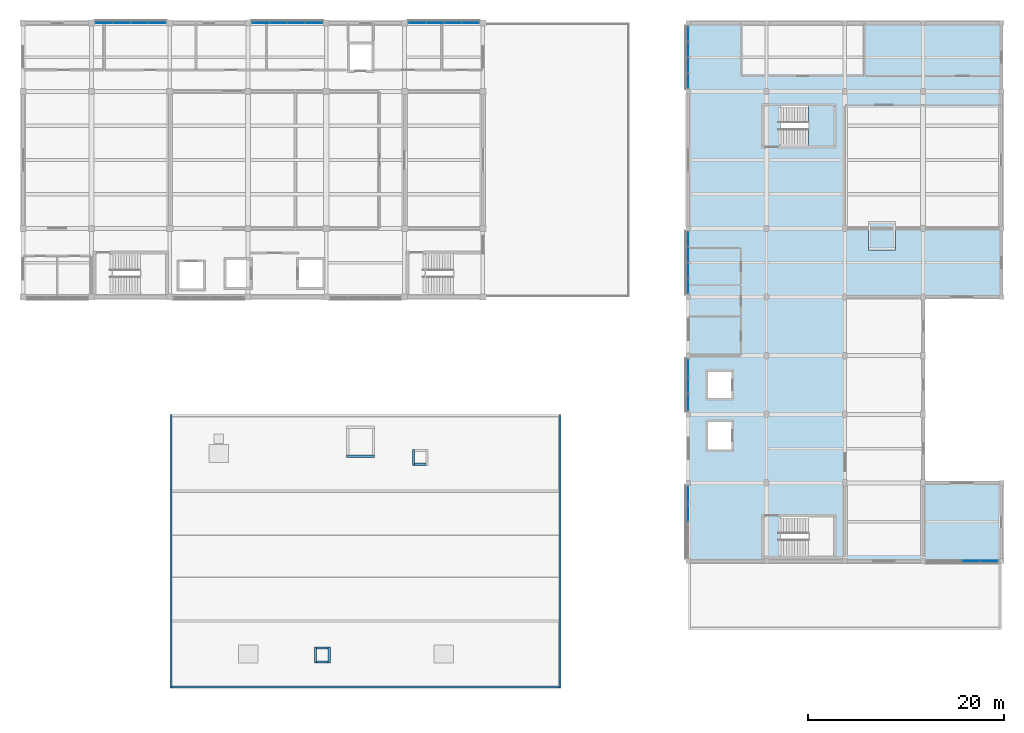
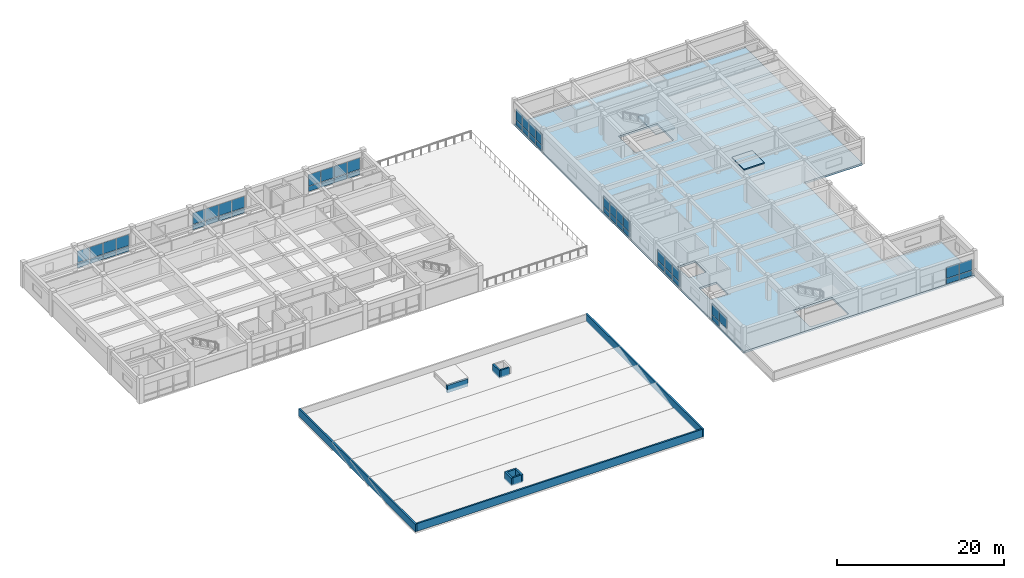
# One storey, part 10 of 22: 53 plates, 10 walls, 3 slabs, 9 elements without a shape of their own.
"""IFC4 building model written with IfcOpenShell, lengths in metres."""

from ifc_helpers import new_model, si_unit, direction, frame, frame_2d, origin, origin_2d, place, context, subcontext, project, spatial, polyline, rectangle, outline, extrude, material, layer, layer_set, type_object, element, aggregate, save


model = new_model("IFC4")

# Units and contexts
model_context = context("Model", 3, precision=1e-05, world=origin(), true_north=direction((0.0, 1.0)))
body_context = subcontext(model_context, "Body", "Model", "MODEL_VIEW")
ifc_project = project(units=[si_unit("LENGTHUNIT", "METRE"), si_unit("AREAUNIT", "SQUARE_METRE"), si_unit("VOLUMEUNIT", "CUBIC_METRE"), si_unit("PLANEANGLEUNIT", "RADIAN"), si_unit("MASSUNIT", "GRAM", prefix="KILO")], contexts=[model_context])

# Site, building, storey
site_placement = place(None, origin())
site = spatial("IfcSite", under=ifc_project, at=site_placement, CompositionType="ELEMENT")
building_placement = place(site_placement, origin())
building = spatial("IfcBuilding", under=site, at=building_placement, Name="Naurynzar Civic Courthouse", CompositionType="ELEMENT")
storey_placement = place(building_placement, frame((0.0, 0.0, 25.800048828125)))
storey = spatial("IfcBuildingStorey", under=building, at=storey_placement, Name="L07", CompositionType="ELEMENT", Elevation=25.800048828125)

# Curtain wall, plates
ifc_material_1 = material(Name="Aluminium 6063-T6", Category="aluminium")
ifc_layer_1 = layer(ifc_material_1, 0.159912109375)
ifc_layer_set_1 = layer_set([ifc_layer_1], Name="CW-UNIT-1800")
curtain_wall_type = type_object("IfcCurtainWallType", Name="CW-UNIT-1800", PredefinedType="NOTDEFINED", material=ifc_layer_set_1)
curtain_wall_1_placement = place(storey_placement, origin())
curtain_wall_1 = element("IfcCurtainWall", 1, at=curtain_wall_1_placement, inside=storey, type_object=curtain_wall_type, Name="V2 unitised curtain wall 48 L07", PredefinedType="NOTDEFINED")
ifc_material_2 = material(Name="Tempered Laminated Low-E Glass", Category="glass")
ifc_layer_2 = layer(ifc_material_2, 0.035888671875)
ifc_layer_set_2 = layer_set([ifc_layer_2], Name="CWP-IGU-36")
plate_type = type_object("IfcPlateType", Name="CWP-IGU-36", PredefinedType="CURTAIN_PANEL", material=ifc_layer_set_2)
plate_1_placement = place(storey_placement, frame((70.289306640625, 72.0, 0.06982421875), z_axis=(0.0, 0.0, 1.0), x_axis=(1.0, 0.0, 0.0)))
plate_1 = element("IfcPlate", 2, at=plate_1_placement, type_object=plate_type, Name="CW-02 panel 1.1", PredefinedType="CURTAIN_PANEL", context=body_context, shape_type="SweptSolid", body=[
    extrude(rectangle(XDim=1.7138671875, YDim=0.035888671875, at=origin_2d()), origin(), (0.0, 0.0, 1.0), 0.7451171875),
])
plate_2_placement = place(storey_placement, frame((70.289306640625, 72.0, 0.885009765625), z_axis=(0.0, 0.0, 1.0), x_axis=(1.0, 0.0, 0.0)))
plate_2 = element("IfcPlate", 3, at=plate_2_placement, type_object=plate_type, Name="CW-02 panel 1.2", PredefinedType="CURTAIN_PANEL", context=body_context, shape_type="SweptSolid", body=[
    extrude(rectangle(XDim=1.7138671875, YDim=0.035888671875, at=origin_2d()), origin(), (0.0, 0.0, 1.0), 1.64501953125),
])
plate_3_placement = place(storey_placement, frame((72.090576171875, 72.0, 0.06982421875), z_axis=(0.0, 0.0, 1.0), x_axis=(1.0, 0.0, 0.0)))
plate_3 = element("IfcPlate", 4, at=plate_3_placement, type_object=plate_type, Name="CW-02 panel 2.1", PredefinedType="CURTAIN_PANEL", context=body_context, shape_type="SweptSolid", body=[
    extrude(rectangle(XDim=1.748779296875, YDim=0.035888671875, at=origin_2d()), origin(), (0.0, 0.0, 1.0), 0.7451171875),
])
plate_4_placement = place(storey_placement, frame((72.090576171875, 72.0, 0.885009765625), z_axis=(0.0, 0.0, 1.0), x_axis=(1.0, 0.0, 0.0)))
plate_4 = element("IfcPlate", 5, at=plate_4_placement, type_object=plate_type, Name="CW-02 panel 2.2", PredefinedType="CURTAIN_PANEL", context=body_context, shape_type="SweptSolid", body=[
    extrude(rectangle(XDim=1.748779296875, YDim=0.035888671875, at=origin_2d()), origin(), (0.0, 0.0, 1.0), 1.64501953125),
])
plate_5_placement = place(storey_placement, frame((73.909423828125, 72.0, 0.06982421875), z_axis=(0.0, 0.0, 1.0), x_axis=(1.0, 0.0, 0.0)))
plate_5 = element("IfcPlate", 6, at=plate_5_placement, type_object=plate_type, Name="CW-02 panel 3.1", PredefinedType="CURTAIN_PANEL", context=body_context, shape_type="SweptSolid", body=[
    extrude(rectangle(XDim=1.748779296875, YDim=0.035888671875, at=origin_2d()), origin(), (0.0, 0.0, 1.0), 0.7451171875),
])
plate_6_placement = place(storey_placement, frame((73.909423828125, 72.0, 0.885009765625), z_axis=(0.0, 0.0, 1.0), x_axis=(1.0, 0.0, 0.0)))
plate_6 = element("IfcPlate", 7, at=plate_6_placement, type_object=plate_type, Name="CW-02 panel 3.2", PredefinedType="CURTAIN_PANEL", context=body_context, shape_type="SweptSolid", body=[
    extrude(rectangle(XDim=1.748779296875, YDim=0.035888671875, at=origin_2d()), origin(), (0.0, 0.0, 1.0), 1.64501953125),
])
plate_7_placement = place(storey_placement, frame((75.710693359375, 72.0, 0.06982421875), z_axis=(0.0, 0.0, 1.0), x_axis=(1.0, 0.0, 0.0)))
plate_7 = element("IfcPlate", 8, at=plate_7_placement, type_object=plate_type, Name="CW-02 panel 4.1", PredefinedType="CURTAIN_PANEL", context=body_context, shape_type="SweptSolid", body=[
    extrude(rectangle(XDim=1.7138671875, YDim=0.035888671875, at=origin_2d()), origin(), (0.0, 0.0, 1.0), 0.7451171875),
])
plate_8_placement = place(storey_placement, frame((75.710693359375, 72.0, 0.885009765625), z_axis=(0.0, 0.0, 1.0), x_axis=(1.0, 0.0, 0.0)))
plate_8 = element("IfcPlate", 9, at=plate_8_placement, type_object=plate_type, Name="CW-02 panel 4.2", PredefinedType="CURTAIN_PANEL", context=body_context, shape_type="SweptSolid", body=[
    extrude(rectangle(XDim=1.7138671875, YDim=0.035888671875, at=origin_2d()), origin(), (0.0, 0.0, 1.0), 1.64501953125),
])
aggregate(curtain_wall_1, [plate_1, plate_2, plate_3, plate_4, plate_5, plate_6, plate_7, plate_8])

curtain_wall_2_placement = place(storey_placement, origin())
curtain_wall_2 = element("IfcCurtainWall", 10, at=curtain_wall_2_placement, inside=storey, type_object=curtain_wall_type, Name="V2 unitised curtain wall 49 L07", PredefinedType="NOTDEFINED")
plate_9_placement = place(storey_placement, frame((86.289306640625, 72.0, 0.06982421875), z_axis=(0.0, 0.0, 1.0), x_axis=(1.0, 0.0, 0.0)))
plate_9 = element("IfcPlate", 11, at=plate_9_placement, type_object=plate_type, Name="CW-02 panel 1.1", PredefinedType="CURTAIN_PANEL", context=body_context, shape_type="SweptSolid", body=[
    extrude(rectangle(XDim=1.7138671875, YDim=0.035888671875, at=origin_2d()), origin(), (0.0, 0.0, 1.0), 0.7451171875),
])
plate_10_placement = place(storey_placement, frame((86.289306640625, 72.0, 0.885009765625), z_axis=(0.0, 0.0, 1.0), x_axis=(1.0, 0.0, 0.0)))
plate_10 = element("IfcPlate", 12, at=plate_10_placement, type_object=plate_type, Name="CW-02 panel 1.2", PredefinedType="CURTAIN_PANEL", context=body_context, shape_type="SweptSolid", body=[
    extrude(rectangle(XDim=1.7138671875, YDim=0.035888671875, at=origin_2d()), origin(), (0.0, 0.0, 1.0), 1.64501953125),
])
plate_11_placement = place(storey_placement, frame((88.090576171875, 72.0, 0.06982421875), z_axis=(0.0, 0.0, 1.0), x_axis=(1.0, 0.0, 0.0)))
plate_11 = element("IfcPlate", 13, at=plate_11_placement, type_object=plate_type, Name="CW-02 panel 2.1", PredefinedType="CURTAIN_PANEL", context=body_context, shape_type="SweptSolid", body=[
    extrude(rectangle(XDim=1.748779296875, YDim=0.035888671875, at=origin_2d()), origin(), (0.0, 0.0, 1.0), 0.7451171875),
])
plate_12_placement = place(storey_placement, frame((88.090576171875, 72.0, 0.885009765625), z_axis=(0.0, 0.0, 1.0), x_axis=(1.0, 0.0, 0.0)))
plate_12 = element("IfcPlate", 14, at=plate_12_placement, type_object=plate_type, Name="CW-02 panel 2.2", PredefinedType="CURTAIN_PANEL", context=body_context, shape_type="SweptSolid", body=[
    extrude(rectangle(XDim=1.748779296875, YDim=0.035888671875, at=origin_2d()), origin(), (0.0, 0.0, 1.0), 1.64501953125),
])
plate_13_placement = place(storey_placement, frame((89.909423828125, 72.0, 0.06982421875), z_axis=(0.0, 0.0, 1.0), x_axis=(1.0, 0.0, 0.0)))
plate_13 = element("IfcPlate", 15, at=plate_13_placement, type_object=plate_type, Name="CW-02 panel 3.1", PredefinedType="CURTAIN_PANEL", context=body_context, shape_type="SweptSolid", body=[
    extrude(rectangle(XDim=1.748779296875, YDim=0.035888671875, at=origin_2d()), origin(), (0.0, 0.0, 1.0), 0.7451171875),
])
plate_14_placement = place(storey_placement, frame((89.909423828125, 72.0, 0.885009765625), z_axis=(0.0, 0.0, 1.0), x_axis=(1.0, 0.0, 0.0)))
plate_14 = element("IfcPlate", 16, at=plate_14_placement, type_object=plate_type, Name="CW-02 panel 3.2", PredefinedType="CURTAIN_PANEL", context=body_context, shape_type="SweptSolid", body=[
    extrude(rectangle(XDim=1.748779296875, YDim=0.035888671875, at=origin_2d()), origin(), (0.0, 0.0, 1.0), 1.64501953125),
])
plate_15_placement = place(storey_placement, frame((91.710693359375, 72.0, 0.06982421875), z_axis=(0.0, 0.0, 1.0), x_axis=(1.0, 0.0, 0.0)))
plate_15 = element("IfcPlate", 17, at=plate_15_placement, type_object=plate_type, Name="CW-02 panel 4.1", PredefinedType="CURTAIN_PANEL", context=body_context, shape_type="SweptSolid", body=[
    extrude(rectangle(XDim=1.7138671875, YDim=0.035888671875, at=origin_2d()), origin(), (0.0, 0.0, 1.0), 0.7451171875),
])
plate_16_placement = place(storey_placement, frame((91.710693359375, 72.0, 0.885009765625), z_axis=(0.0, 0.0, 1.0), x_axis=(1.0, 0.0, 0.0)))
plate_16 = element("IfcPlate", 18, at=plate_16_placement, type_object=plate_type, Name="CW-02 panel 4.2", PredefinedType="CURTAIN_PANEL", context=body_context, shape_type="SweptSolid", body=[
    extrude(rectangle(XDim=1.7138671875, YDim=0.035888671875, at=origin_2d()), origin(), (0.0, 0.0, 1.0), 1.64501953125),
])
aggregate(curtain_wall_2, [plate_9, plate_10, plate_11, plate_12, plate_13, plate_14, plate_15, plate_16])

curtain_wall_3_placement = place(storey_placement, origin())
curtain_wall_3 = element("IfcCurtainWall", 19, at=curtain_wall_3_placement, inside=storey, type_object=curtain_wall_type, Name="V2 unitised curtain wall 50 L07", PredefinedType="NOTDEFINED")
plate_17_placement = place(storey_placement, frame((102.289306640625, 72.0, 0.06982421875), z_axis=(0.0, 0.0, 1.0), x_axis=(1.0, 0.0, 0.0)))
plate_17 = element("IfcPlate", 20, at=plate_17_placement, type_object=plate_type, Name="CW-02 panel 1.1", PredefinedType="CURTAIN_PANEL", context=body_context, shape_type="SweptSolid", body=[
    extrude(rectangle(XDim=1.7138671875, YDim=0.035888671875, at=origin_2d()), origin(), (0.0, 0.0, 1.0), 0.7451171875),
])
plate_18_placement = place(storey_placement, frame((102.289306640625, 72.0, 0.885009765625), z_axis=(0.0, 0.0, 1.0), x_axis=(1.0, 0.0, 0.0)))
plate_18 = element("IfcPlate", 21, at=plate_18_placement, type_object=plate_type, Name="CW-02 panel 1.2", PredefinedType="CURTAIN_PANEL", context=body_context, shape_type="SweptSolid", body=[
    extrude(rectangle(XDim=1.7138671875, YDim=0.035888671875, at=origin_2d()), origin(), (0.0, 0.0, 1.0), 1.64501953125),
])
plate_19_placement = place(storey_placement, frame((104.090576171875, 72.0, 0.06982421875), z_axis=(0.0, 0.0, 1.0), x_axis=(1.0, 0.0, 0.0)))
plate_19 = element("IfcPlate", 22, at=plate_19_placement, type_object=plate_type, Name="CW-02 panel 2.1", PredefinedType="CURTAIN_PANEL", context=body_context, shape_type="SweptSolid", body=[
    extrude(rectangle(XDim=1.748779296875, YDim=0.035888671875, at=origin_2d()), origin(), (0.0, 0.0, 1.0), 0.7451171875),
])
plate_20_placement = place(storey_placement, frame((104.090576171875, 72.0, 0.885009765625), z_axis=(0.0, 0.0, 1.0), x_axis=(1.0, 0.0, 0.0)))
plate_20 = element("IfcPlate", 23, at=plate_20_placement, type_object=plate_type, Name="CW-02 panel 2.2", PredefinedType="CURTAIN_PANEL", context=body_context, shape_type="SweptSolid", body=[
    extrude(rectangle(XDim=1.748779296875, YDim=0.035888671875, at=origin_2d()), origin(), (0.0, 0.0, 1.0), 1.64501953125),
])
plate_21_placement = place(storey_placement, frame((105.909423828125, 72.0, 0.06982421875), z_axis=(0.0, 0.0, 1.0), x_axis=(1.0, 0.0, 0.0)))
plate_21 = element("IfcPlate", 24, at=plate_21_placement, type_object=plate_type, Name="CW-02 panel 3.1", PredefinedType="CURTAIN_PANEL", context=body_context, shape_type="SweptSolid", body=[
    extrude(rectangle(XDim=1.748779296875, YDim=0.035888671875, at=origin_2d()), origin(), (0.0, 0.0, 1.0), 0.7451171875),
])
plate_22_placement = place(storey_placement, frame((105.909423828125, 72.0, 0.885009765625), z_axis=(0.0, 0.0, 1.0), x_axis=(1.0, 0.0, 0.0)))
plate_22 = element("IfcPlate", 25, at=plate_22_placement, type_object=plate_type, Name="CW-02 panel 3.2", PredefinedType="CURTAIN_PANEL", context=body_context, shape_type="SweptSolid", body=[
    extrude(rectangle(XDim=1.748779296875, YDim=0.035888671875, at=origin_2d()), origin(), (0.0, 0.0, 1.0), 1.64501953125),
])
plate_23_placement = place(storey_placement, frame((107.710693359375, 72.0, 0.06982421875), z_axis=(0.0, 0.0, 1.0), x_axis=(1.0, 0.0, 0.0)))
plate_23 = element("IfcPlate", 26, at=plate_23_placement, type_object=plate_type, Name="CW-02 panel 4.1", PredefinedType="CURTAIN_PANEL", context=body_context, shape_type="SweptSolid", body=[
    extrude(rectangle(XDim=1.7138671875, YDim=0.035888671875, at=origin_2d()), origin(), (0.0, 0.0, 1.0), 0.7451171875),
])
plate_24_placement = place(storey_placement, frame((107.710693359375, 72.0, 0.885009765625), z_axis=(0.0, 0.0, 1.0), x_axis=(1.0, 0.0, 0.0)))
plate_24 = element("IfcPlate", 27, at=plate_24_placement, type_object=plate_type, Name="CW-02 panel 4.2", PredefinedType="CURTAIN_PANEL", context=body_context, shape_type="SweptSolid", body=[
    extrude(rectangle(XDim=1.7138671875, YDim=0.035888671875, at=origin_2d()), origin(), (0.0, 0.0, 1.0), 1.64501953125),
])
aggregate(curtain_wall_3, [plate_17, plate_18, plate_19, plate_20, plate_21, plate_22, plate_23, plate_24])

curtain_wall_4_placement = place(storey_placement, origin())
curtain_wall_4 = element("IfcCurtainWall", 28, at=curtain_wall_4_placement, inside=storey, type_object=curtain_wall_type, Name="V5 unitised curtain wall 112 L07", PredefinedType="NOTDEFINED")
plate_25_placement = place(storey_placement, frame((130.0, 21.925048828125, 0.884765625), z_axis=(0.0, 0.0, 1.0), x_axis=(0.0, 1.0, 0.0)))
plate_25 = element("IfcPlate", 29, at=plate_25_placement, type_object=plate_type, Name="CW-02 panel 3.2", PredefinedType="CURTAIN_PANEL", context=body_context, shape_type="SweptSolid", body=[
    extrude(rectangle(XDim=1.780029296875, YDim=0.035888671875, at=origin_2d()), origin(), (0.0, 0.0, 1.0), 1.594970703125),
])
plate_26_placement = place(storey_placement, frame((130.0, 23.757568359375, 0.06982421875), z_axis=(0.0, 0.0, 1.0), x_axis=(0.0, 1.0, 0.0)))
plate_26 = element("IfcPlate", 30, at=plate_26_placement, type_object=plate_type, Name="CW-02 panel 4.1", PredefinedType="CURTAIN_PANEL", context=body_context, shape_type="SweptSolid", body=[
    extrude(rectangle(XDim=1.7451171875, YDim=0.035888671875, at=origin_2d()), origin(), (0.0, 0.0, 1.0), 0.7451171875),
])
plate_27_placement = place(storey_placement, frame((130.0, 23.757568359375, 0.884765625), z_axis=(0.0, 0.0, 1.0), x_axis=(0.0, 1.0, 0.0)))
plate_27 = element("IfcPlate", 31, at=plate_27_placement, type_object=plate_type, Name="CW-02 panel 4.2", PredefinedType="CURTAIN_PANEL", context=body_context, shape_type="SweptSolid", body=[
    extrude(rectangle(XDim=1.7451171875, YDim=0.035888671875, at=origin_2d()), origin(), (0.0, 0.0, 1.0), 1.594970703125),
])
aggregate(curtain_wall_4, [plate_25, plate_26, plate_27])

curtain_wall_5_placement = place(storey_placement, origin())
curtain_wall_5 = element("IfcCurtainWall", 32, at=curtain_wall_5_placement, inside=storey, type_object=curtain_wall_type, Name="V5 unitised curtain wall 113 L07", PredefinedType="NOTDEFINED")
plate_28_placement = place(storey_placement, frame((130.0, 33.217529296875, 0.06982421875), z_axis=(0.0, 0.0, 1.0), x_axis=(0.0, 1.0, 0.0)))
plate_28 = element("IfcPlate", 33, at=plate_28_placement, type_object=plate_type, Name="CW-02 panel 1.1", PredefinedType="CURTAIN_PANEL", context=body_context, shape_type="SweptSolid", body=[
    extrude(rectangle(XDim=1.695068359375, YDim=0.035888671875, at=origin_2d()), origin(), (0.0, 0.0, 1.0), 0.7451171875),
])
plate_29_placement = place(storey_placement, frame((130.0, 33.217529296875, 0.884765625), z_axis=(0.0, 0.0, 1.0), x_axis=(0.0, 1.0, 0.0)))
plate_29 = element("IfcPlate", 34, at=plate_29_placement, type_object=plate_type, Name="CW-02 panel 1.2", PredefinedType="CURTAIN_PANEL", context=body_context, shape_type="SweptSolid", body=[
    extrude(rectangle(XDim=1.695068359375, YDim=0.035888671875, at=origin_2d()), origin(), (0.0, 0.0, 1.0), 1.594970703125),
])
plate_30_placement = place(storey_placement, frame((130.0, 35.0, 0.06982421875), z_axis=(0.0, 0.0, 1.0), x_axis=(0.0, 1.0, 0.0)))
plate_30 = element("IfcPlate", 35, at=plate_30_placement, type_object=plate_type, Name="CW-02 panel 2.1", PredefinedType="CURTAIN_PANEL", context=body_context, shape_type="SweptSolid", body=[
    extrude(rectangle(XDim=1.72998046875, YDim=0.035888671875, at=origin_2d()), origin(), (0.0, 0.0, 1.0), 0.7451171875),
])
plate_31_placement = place(storey_placement, frame((130.0, 35.0, 0.884765625), z_axis=(0.0, 0.0, 1.0), x_axis=(0.0, 1.0, 0.0)))
plate_31 = element("IfcPlate", 36, at=plate_31_placement, type_object=plate_type, Name="CW-02 panel 2.2", PredefinedType="CURTAIN_PANEL", context=body_context, shape_type="SweptSolid", body=[
    extrude(rectangle(XDim=1.72998046875, YDim=0.035888671875, at=origin_2d()), origin(), (0.0, 0.0, 1.0), 1.594970703125),
])
plate_32_placement = place(storey_placement, frame((130.0, 36.782470703125, 0.06982421875), z_axis=(0.0, 0.0, 1.0), x_axis=(0.0, 1.0, 0.0)))
plate_32 = element("IfcPlate", 37, at=plate_32_placement, type_object=plate_type, Name="CW-02 panel 3.1", PredefinedType="CURTAIN_PANEL", context=body_context, shape_type="SweptSolid", body=[
    extrude(rectangle(XDim=1.695068359375, YDim=0.035888671875, at=origin_2d()), origin(), (0.0, 0.0, 1.0), 0.7451171875),
])
plate_33_placement = place(storey_placement, frame((130.0, 36.782470703125, 0.884765625), z_axis=(0.0, 0.0, 1.0), x_axis=(0.0, 1.0, 0.0)))
plate_33 = element("IfcPlate", 38, at=plate_33_placement, type_object=plate_type, Name="CW-02 panel 3.2", PredefinedType="CURTAIN_PANEL", context=body_context, shape_type="SweptSolid", body=[
    extrude(rectangle(XDim=1.695068359375, YDim=0.035888671875, at=origin_2d()), origin(), (0.0, 0.0, 1.0), 1.594970703125),
])
aggregate(curtain_wall_5, [plate_28, plate_29, plate_30, plate_31, plate_32, plate_33])

curtain_wall_6_placement = place(storey_placement, origin())
curtain_wall_6 = element("IfcCurtainWall", 39, at=curtain_wall_6_placement, inside=storey, type_object=curtain_wall_type, Name="V5 unitised curtain wall 114 L07", PredefinedType="NOTDEFINED")
plate_34_placement = place(storey_placement, frame((130.0, 45.117431640625, 0.06982421875), z_axis=(0.0, 0.0, 1.0), x_axis=(0.0, 1.0, 0.0)))
plate_34 = element("IfcPlate", 40, at=plate_34_placement, type_object=plate_type, Name="CW-02 panel 1.1", PredefinedType="CURTAIN_PANEL", context=body_context, shape_type="SweptSolid", body=[
    extrude(rectangle(XDim=1.4951171875, YDim=0.035888671875, at=origin_2d()), origin(), (0.0, 0.0, 1.0), 0.7451171875),
])
plate_35_placement = place(storey_placement, frame((130.0, 45.117431640625, 0.884765625), z_axis=(0.0, 0.0, 1.0), x_axis=(0.0, 1.0, 0.0)))
plate_35 = element("IfcPlate", 41, at=plate_35_placement, type_object=plate_type, Name="CW-02 panel 1.2", PredefinedType="CURTAIN_PANEL", context=body_context, shape_type="SweptSolid", body=[
    extrude(rectangle(XDim=1.4951171875, YDim=0.035888671875, at=origin_2d()), origin(), (0.0, 0.0, 1.0), 1.594970703125),
])
plate_36_placement = place(storey_placement, frame((130.0, 46.699951171875, 0.06982421875), z_axis=(0.0, 0.0, 1.0), x_axis=(0.0, 1.0, 0.0)))
plate_36 = element("IfcPlate", 42, at=plate_36_placement, type_object=plate_type, Name="CW-02 panel 2.1", PredefinedType="CURTAIN_PANEL", context=body_context, shape_type="SweptSolid", body=[
    extrude(rectangle(XDim=1.530029296875, YDim=0.035888671875, at=origin_2d()), origin(), (0.0, 0.0, 1.0), 0.7451171875),
])
plate_37_placement = place(storey_placement, frame((130.0, 46.699951171875, 0.884765625), z_axis=(0.0, 0.0, 1.0), x_axis=(0.0, 1.0, 0.0)))
plate_37 = element("IfcPlate", 43, at=plate_37_placement, type_object=plate_type, Name="CW-02 panel 2.2", PredefinedType="CURTAIN_PANEL", context=body_context, shape_type="SweptSolid", body=[
    extrude(rectangle(XDim=1.530029296875, YDim=0.035888671875, at=origin_2d()), origin(), (0.0, 0.0, 1.0), 1.594970703125),
])
plate_38_placement = place(storey_placement, frame((130.0, 48.300048828125, 0.06982421875), z_axis=(0.0, 0.0, 1.0), x_axis=(0.0, 1.0, 0.0)))
plate_38 = element("IfcPlate", 44, at=plate_38_placement, type_object=plate_type, Name="CW-02 panel 3.1", PredefinedType="CURTAIN_PANEL", context=body_context, shape_type="SweptSolid", body=[
    extrude(rectangle(XDim=1.530029296875, YDim=0.035888671875, at=origin_2d()), origin(), (0.0, 0.0, 1.0), 0.7451171875),
])
plate_39_placement = place(storey_placement, frame((130.0, 48.300048828125, 0.884765625), z_axis=(0.0, 0.0, 1.0), x_axis=(0.0, 1.0, 0.0)))
plate_39 = element("IfcPlate", 45, at=plate_39_placement, type_object=plate_type, Name="CW-02 panel 3.2", PredefinedType="CURTAIN_PANEL", context=body_context, shape_type="SweptSolid", body=[
    extrude(rectangle(XDim=1.530029296875, YDim=0.035888671875, at=origin_2d()), origin(), (0.0, 0.0, 1.0), 1.594970703125),
])
plate_40_placement = place(storey_placement, frame((130.0, 49.882568359375, 0.06982421875), z_axis=(0.0, 0.0, 1.0), x_axis=(0.0, 1.0, 0.0)))
plate_40 = element("IfcPlate", 46, at=plate_40_placement, type_object=plate_type, Name="CW-02 panel 4.1", PredefinedType="CURTAIN_PANEL", context=body_context, shape_type="SweptSolid", body=[
    extrude(rectangle(XDim=1.4951171875, YDim=0.035888671875, at=origin_2d()), origin(), (0.0, 0.0, 1.0), 0.7451171875),
])
plate_41_placement = place(storey_placement, frame((130.0, 49.882568359375, 0.884765625), z_axis=(0.0, 0.0, 1.0), x_axis=(0.0, 1.0, 0.0)))
plate_41 = element("IfcPlate", 47, at=plate_41_placement, type_object=plate_type, Name="CW-02 panel 4.2", PredefinedType="CURTAIN_PANEL", context=body_context, shape_type="SweptSolid", body=[
    extrude(rectangle(XDim=1.4951171875, YDim=0.035888671875, at=origin_2d()), origin(), (0.0, 0.0, 1.0), 1.594970703125),
])
aggregate(curtain_wall_6, [plate_34, plate_35, plate_36, plate_37, plate_38, plate_39, plate_40, plate_41])

curtain_wall_7_placement = place(storey_placement, origin())
curtain_wall_7 = element("IfcCurtainWall", 48, at=curtain_wall_7_placement, inside=storey, type_object=curtain_wall_type, Name="V5 unitised curtain wall 115 L07", PredefinedType="NOTDEFINED")
plate_42_placement = place(storey_placement, frame((130.0, 66.117431640625, 0.06982421875), z_axis=(0.0, 0.0, 1.0), x_axis=(0.0, 1.0, 0.0)))
plate_42 = element("IfcPlate", 49, at=plate_42_placement, type_object=plate_type, Name="CW-02 panel 1.1", PredefinedType="CURTAIN_PANEL", context=body_context, shape_type="SweptSolid", body=[
    extrude(rectangle(XDim=1.4951171875, YDim=0.035888671875, at=origin_2d()), origin(), (0.0, 0.0, 1.0), 0.7451171875),
])
plate_43_placement = place(storey_placement, frame((130.0, 66.117431640625, 0.884765625), z_axis=(0.0, 0.0, 1.0), x_axis=(0.0, 1.0, 0.0)))
plate_43 = element("IfcPlate", 50, at=plate_43_placement, type_object=plate_type, Name="CW-02 panel 1.2", PredefinedType="CURTAIN_PANEL", context=body_context, shape_type="SweptSolid", body=[
    extrude(rectangle(XDim=1.4951171875, YDim=0.035888671875, at=origin_2d()), origin(), (0.0, 0.0, 1.0), 1.594970703125),
])
plate_44_placement = place(storey_placement, frame((130.0, 67.699951171875, 0.06982421875), z_axis=(0.0, 0.0, 1.0), x_axis=(0.0, 1.0, 0.0)))
plate_44 = element("IfcPlate", 51, at=plate_44_placement, type_object=plate_type, Name="CW-02 panel 2.1", PredefinedType="CURTAIN_PANEL", context=body_context, shape_type="SweptSolid", body=[
    extrude(rectangle(XDim=1.530029296875, YDim=0.035888671875, at=origin_2d()), origin(), (0.0, 0.0, 1.0), 0.7451171875),
])
plate_45_placement = place(storey_placement, frame((130.0, 67.699951171875, 0.884765625), z_axis=(0.0, 0.0, 1.0), x_axis=(0.0, 1.0, 0.0)))
plate_45 = element("IfcPlate", 52, at=plate_45_placement, type_object=plate_type, Name="CW-02 panel 2.2", PredefinedType="CURTAIN_PANEL", context=body_context, shape_type="SweptSolid", body=[
    extrude(rectangle(XDim=1.530029296875, YDim=0.035888671875, at=origin_2d()), origin(), (0.0, 0.0, 1.0), 1.594970703125),
])
plate_46_placement = place(storey_placement, frame((130.0, 69.300048828125, 0.06982421875), z_axis=(0.0, 0.0, 1.0), x_axis=(0.0, 1.0, 0.0)))
plate_46 = element("IfcPlate", 53, at=plate_46_placement, type_object=plate_type, Name="CW-02 panel 3.1", PredefinedType="CURTAIN_PANEL", context=body_context, shape_type="SweptSolid", body=[
    extrude(rectangle(XDim=1.530029296875, YDim=0.035888671875, at=origin_2d()), origin(), (0.0, 0.0, 1.0), 0.7451171875),
])
plate_47_placement = place(storey_placement, frame((130.0, 69.300048828125, 0.884765625), z_axis=(0.0, 0.0, 1.0), x_axis=(0.0, 1.0, 0.0)))
plate_47 = element("IfcPlate", 54, at=plate_47_placement, type_object=plate_type, Name="CW-02 panel 3.2", PredefinedType="CURTAIN_PANEL", context=body_context, shape_type="SweptSolid", body=[
    extrude(rectangle(XDim=1.530029296875, YDim=0.035888671875, at=origin_2d()), origin(), (0.0, 0.0, 1.0), 1.594970703125),
])
plate_48_placement = place(storey_placement, frame((130.0, 70.882568359375, 0.06982421875), z_axis=(0.0, 0.0, 1.0), x_axis=(0.0, 1.0, 0.0)))
plate_48 = element("IfcPlate", 55, at=plate_48_placement, type_object=plate_type, Name="CW-02 panel 4.1", PredefinedType="CURTAIN_PANEL", context=body_context, shape_type="SweptSolid", body=[
    extrude(rectangle(XDim=1.4951171875, YDim=0.035888671875, at=origin_2d()), origin(), (0.0, 0.0, 1.0), 0.7451171875),
])
plate_49_placement = place(storey_placement, frame((130.0, 70.882568359375, 0.884765625), z_axis=(0.0, 0.0, 1.0), x_axis=(0.0, 1.0, 0.0)))
plate_49 = element("IfcPlate", 56, at=plate_49_placement, type_object=plate_type, Name="CW-02 panel 4.2", PredefinedType="CURTAIN_PANEL", context=body_context, shape_type="SweptSolid", body=[
    extrude(rectangle(XDim=1.4951171875, YDim=0.035888671875, at=origin_2d()), origin(), (0.0, 0.0, 1.0), 1.594970703125),
])
aggregate(curtain_wall_7, [plate_42, plate_43, plate_44, plate_45, plate_46, plate_47, plate_48, plate_49])

curtain_wall_8_placement = place(storey_placement, origin())
curtain_wall_8 = element("IfcCurtainWall", 57, at=curtain_wall_8_placement, inside=storey, type_object=curtain_wall_type, Name="V5 unitised curtain wall 116 L07", PredefinedType="NOTDEFINED")
plate_50_placement = place(storey_placement, frame((160.757568359375, 17.0, 0.06982421875), z_axis=(0.0, 0.0, 1.0), x_axis=(-1.0, 0.0, 0.0)))
plate_50 = element("IfcPlate", 58, at=plate_50_placement, type_object=plate_type, Name="CW-02 panel 1.1", PredefinedType="CURTAIN_PANEL", context=body_context, shape_type="SweptSolid", body=[
    extrude(rectangle(XDim=1.7451171875, YDim=0.035888671875, at=origin_2d()), origin(), (0.0, 0.0, 1.0), 0.7451171875),
])
plate_51_placement = place(storey_placement, frame((160.757568359375, 17.0, 0.884765625), z_axis=(0.0, 0.0, 1.0), x_axis=(-1.0, 0.0, 0.0)))
plate_51 = element("IfcPlate", 59, at=plate_51_placement, type_object=plate_type, Name="CW-02 panel 1.2", PredefinedType="CURTAIN_PANEL", context=body_context, shape_type="SweptSolid", body=[
    extrude(rectangle(XDim=1.7451171875, YDim=0.035888671875, at=origin_2d()), origin(), (0.0, 0.0, 1.0), 1.594970703125),
])
plate_52_placement = place(storey_placement, frame((158.925048828125, 17.0, 0.06982421875), z_axis=(0.0, 0.0, 1.0), x_axis=(-1.0, 0.0, 0.0)))
plate_52 = element("IfcPlate", 60, at=plate_52_placement, type_object=plate_type, Name="CW-02 panel 2.1", PredefinedType="CURTAIN_PANEL", context=body_context, shape_type="SweptSolid", body=[
    extrude(rectangle(XDim=1.780029296875, YDim=0.035888671875, at=origin_2d()), origin(), (0.0, 0.0, 1.0), 0.7451171875),
])
plate_53_placement = place(storey_placement, frame((158.925048828125, 17.0, 0.884765625), z_axis=(0.0, 0.0, 1.0), x_axis=(-1.0, 0.0, 0.0)))
plate_53 = element("IfcPlate", 61, at=plate_53_placement, type_object=plate_type, Name="CW-02 panel 2.2", PredefinedType="CURTAIN_PANEL", context=body_context, shape_type="SweptSolid", body=[
    extrude(rectangle(XDim=1.780029296875, YDim=0.035888671875, at=origin_2d()), origin(), (0.0, 0.0, 1.0), 1.594970703125),
])
aggregate(curtain_wall_8, [plate_50, plate_51, plate_52, plate_53])

# Slab
ifc_material_3 = material(Name="Concrete C40/50", Category="concrete")
ifc_layer_3 = layer(ifc_material_3, 0.22998046875)
ifc_layer_set_3 = layer_set([ifc_layer_3], Name="ROOF-CRWN-230")
slab_type_1 = type_object("IfcSlabType", Name="ROOF-CRWN-230", PredefinedType="ROOF", material=ifc_layer_set_3)
slab_1_placement = place(storey_placement, frame((0.0, 0.0, 0.800048828125)))
element("IfcSlab", 62, at=slab_1_placement, inside=storey, type_object=slab_type_1, Name="Lift LF-CUS overrun cap slab", PredefinedType="ROOF", context=body_context, shape_type="SweptSolid", body=[
    extrude(outline(polyline([(148.39990234375, 48.800048828125), (151.199951171875, 48.800048828125), (151.199951171875, 51.699951171875), (148.39990234375, 51.699951171875), (148.39990234375, 48.800048828125)])), origin(), (0.0, 0.0, 1.0), 0.179931640625),
])

# Stair, slab
ifc_material_4 = material(Name="Concrete C35/45", Category="concrete")
stair_type = type_object("IfcStairType", Name="STAIR-CORE-1600", PredefinedType="TWO_STRAIGHT_RUN_STAIR", material=ifc_material_4)
stair_placement = place(storey_placement, origin())
stair = element("IfcStair", 63, at=stair_placement, inside=storey, type_object=stair_type, Name="Enclosed escape stair ST-V5B L07", PredefinedType="TWO_STRAIGHT_RUN_STAIR")
ifc_material_5 = material(Name="Concrete C35/45", Category="concrete")
ifc_layer_4 = layer(ifc_material_5, 0.199951171875)
ifc_layer_set_4 = layer_set([ifc_layer_4], Name="SLB-LAND-200")
slab_type_2 = type_object("IfcSlabType", Name="SLB-LAND-200", PredefinedType="LANDING", material=ifc_layer_set_4)
slab_2_placement = place(storey_placement, frame((0.0, 0.0, 1.675048828125)))
slab_2 = element("IfcSlab", 64, at=slab_2_placement, type_object=slab_type_2, Name="ST-V5B-L07 landing 1", PredefinedType="LANDING", context=body_context, shape_type="SweptSolid", body=[
    extrude(outline(polyline([(142.280029296875, 59.3798828125), (144.969970703125, 59.3798828125), (144.969970703125, 63.6201171875), (142.280029296875, 63.6201171875), (142.280029296875, 59.3798828125)])), origin(), (0.0, 0.0, 1.0), 0.199951171875),
])
aggregate(stair, [slab_2])

# Slab
ifc_material_6 = material(Name="Concrete C35/45", Category="concrete")
ifc_layer_5 = layer(ifc_material_6, 0.280029296875)
ifc_layer_set_5 = layer_set([ifc_layer_5], Name="SLB-PT-280")
slab_type_3 = type_object("IfcSlabType", Name="SLB-PT-280", PredefinedType="FLOOR", material=ifc_layer_set_5)
slab_3_placement = place(storey_placement, frame((0.0, 0.0, -0.280029296875)))
element("IfcSlab", 65, at=slab_3_placement, inside=storey, type_object=slab_type_3, Name="V5 floor slab L07", PredefinedType="FLOOR", context=body_context, shape_type="SweptSolid", body=[
    extrude(outline(polyline([(162.0, 17.0), (130.0, 17.0), (130.0, 72.0), (162.0, 72.0), (162.0, 44.0), (154.0, 44.0), (154.0, 25.0), (162.0, 25.0), (162.0, 17.0)]), holes=[polyline([(139.47998046875, 17.5), (144.85009765625, 17.5), (144.85009765625, 21.5), (139.47998046875, 21.5), (139.47998046875, 17.5)]), polyline([(139.47998046875, 59.5), (144.85009765625, 59.5), (144.85009765625, 63.5), (139.47998046875, 63.5), (139.47998046875, 59.5)]), polyline([(132.0, 33.64990234375), (134.39990234375, 33.64990234375), (134.39990234375, 36.35009765625), (132.0, 36.35009765625), (132.0, 33.64990234375)]), polyline([(132.0, 28.39990234375), (134.39990234375, 28.39990234375), (134.39990234375, 31.199951171875), (132.0, 31.199951171875), (132.0, 28.39990234375)])]), origin(), (0.0, 0.0, 1.0), 0.280029296875),
])

# Walls
ifc_material_7 = material(Name="Precast concrete C40/50", Category="concrete")
ifc_layer_6 = layer(ifc_material_7, 0.219970703125)
ifc_layer_set_6 = layer_set([ifc_layer_6], Name="WL-PARA-220")
wall_type_1 = type_object("IfcWallType", Name="WL-PARA-220", PredefinedType="PARAPET", material=ifc_layer_set_6)
for number, where, z_axis, x_axis, name in (
    (66, (77.1201171875, 4.010009765625, 0.0), (0.0, 0.0, 1.0), (0.0, 1.0, 0.0), "Roof perimeter parapet V3-RF.26"),
    (67, (116.8798828125, 31.989990234375, 0.0), (0.0, 0.0, 1.0), (0.0, -1.0, 0.0), "Roof perimeter parapet V3-RF.27"),
):
    element("IfcWall", number, at=place(storey_placement, frame(where, z_axis=z_axis, x_axis=x_axis)), inside=storey, type_object=wall_type_1, Name=name, PredefinedType="PARAPET", context=body_context, shape_type="SweptSolid", body=[
        extrude(rectangle(XDim=27.97998046875, YDim=0.219970703125, at=frame_2d((13.989990234375, 0.0))), origin(), (0.0, 0.0, 1.0), 1.119873046875),
    ])
wall_1_placement = place(storey_placement, frame((116.77001953125, 4.1201171875, 0.0), z_axis=(0.0, 0.0, 1.0), x_axis=(-1.0, 0.0, 0.0)))
element("IfcWall", 68, at=wall_1_placement, inside=storey, type_object=wall_type_1, Name="Roof perimeter parapet V3-RF.29", PredefinedType="PARAPET", context=body_context, shape_type="SweptSolid", body=[
    extrude(rectangle(XDim=39.5400390625, YDim=0.219970703125, at=frame_2d((19.77001953125, 0.0))), origin(), (0.0, 0.0, 1.0), 1.119873046875),
])
for number, where, z_axis, x_axis, name in (
    (69, (91.89990234375, 6.590087890625, 0.0), (0.0, 0.0, 1.0), (0.0, 1.0, 0.0), "Roof perimeter parapet V3S-RS.38"),
    (70, (93.300048828125, 8.2099609375, 0.0), (0.0, 0.0, 1.0), (0.0, -1.0, 0.0), "Roof perimeter parapet V3S-RS.39"),
):
    element("IfcWall", number, at=place(storey_placement, frame(where, z_axis=z_axis, x_axis=x_axis)), inside=storey, type_object=wall_type_1, Name=name, PredefinedType="PARAPET", context=body_context, shape_type="SweptSolid", body=[
        extrude(rectangle(XDim=1.619873046875, YDim=0.219970703125, at=frame_2d((0.81005859375, 0.0))), origin(), (0.0, 0.0, 1.0), 1.119873046875),
    ])
for number, where, z_axis, x_axis, name in (
    (71, (92.010009765625, 8.10009765625, 0.0), (0.0, 0.0, 1.0), (1.0, 0.0, 0.0), "Roof perimeter parapet V3S-RS.40"),
    (72, (93.18994140625, 6.699951171875, 0.0), (0.0, 0.0, 1.0), (-1.0, 0.0, 0.0), "Roof perimeter parapet V3S-RS.41"),
):
    element("IfcWall", number, at=place(storey_placement, frame(where, z_axis=z_axis, x_axis=x_axis)), inside=storey, type_object=wall_type_1, Name=name, PredefinedType="PARAPET", context=body_context, shape_type="SweptSolid", body=[
        extrude(rectangle(XDim=1.179931640625, YDim=0.219970703125, at=frame_2d((0.58984375, 0.0))), origin(), (0.0, 0.0, 1.0), 1.119873046875),
    ])
wall_2_placement = place(storey_placement, frame((101.89990234375, 26.7900390625, 0.0), z_axis=(0.0, 0.0, 1.0), x_axis=(0.0, 1.0, 0.0)))
element("IfcWall", 73, at=wall_2_placement, inside=storey, type_object=wall_type_1, Name="Roof perimeter parapet V3N-RS.42", PredefinedType="PARAPET", context=body_context, shape_type="SweptSolid", body=[
    extrude(rectangle(XDim=1.619873046875, YDim=0.219970703125, at=frame_2d((0.81005859375, 0.0))), origin(), (0.0, 0.0, 1.0), 1.119873046875),
])
wall_3_placement = place(storey_placement, frame((103.18994140625, 26.89990234375, 0.0), z_axis=(0.0, 0.0, 1.0), x_axis=(-1.0, 0.0, 0.0)))
element("IfcWall", 74, at=wall_3_placement, inside=storey, type_object=wall_type_1, Name="Roof perimeter parapet V3N-RS.45", PredefinedType="PARAPET", context=body_context, shape_type="SweptSolid", body=[
    extrude(rectangle(XDim=1.179931640625, YDim=0.219970703125, at=frame_2d((0.58984375, 0.0))), origin(), (0.0, 0.0, 1.0), 1.119873046875),
])
ifc_material_8 = material(Name="Concrete C40/50", Category="concrete")
ifc_layer_7 = layer(ifc_material_8, 0.25)
ifc_layer_set_7 = layer_set([ifc_layer_7], Name="WL-SHAFT-250")
wall_type_2 = type_object("IfcWallType", Name="WL-SHAFT-250", PredefinedType="SHEAR", material=ifc_layer_set_7)
wall_4_placement = place(storey_placement, frame((95.050048828125, 27.72509765625, -0.280029296875), z_axis=(0.0, 0.0, 1.0), x_axis=(1.0, 0.0, 0.0)))
element("IfcWall", 75, at=wall_4_placement, inside=storey, type_object=wall_type_2, Name="Lift LP-04 overrun shaft wall south", PredefinedType="SHEAR", context=body_context, shape_type="SweptSolid", body=[
    extrude(rectangle(XDim=2.89990234375, YDim=0.25, at=frame_2d((1.449951171875, 0.0))), origin(), (0.0, 0.0, 1.0), 1.080078125),
])

save(model, "model.ifc")
